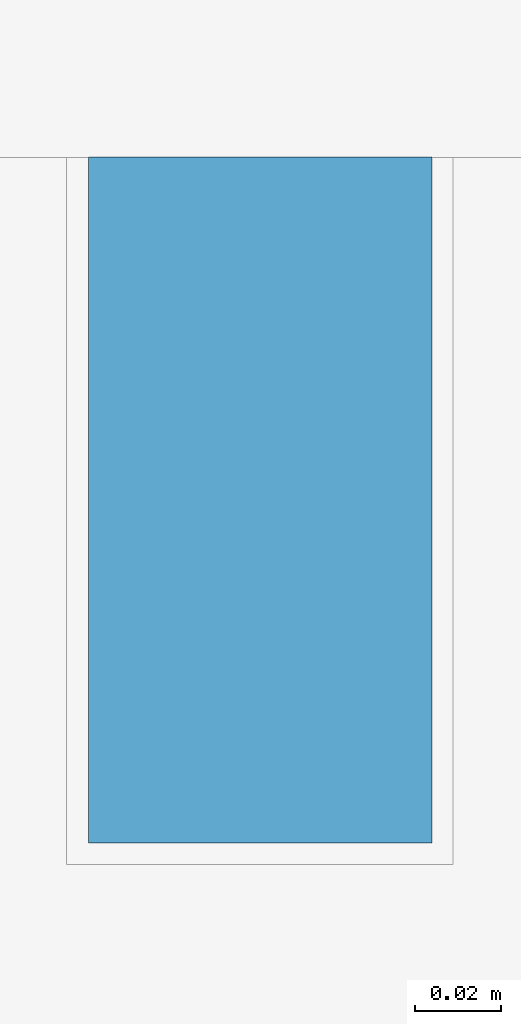
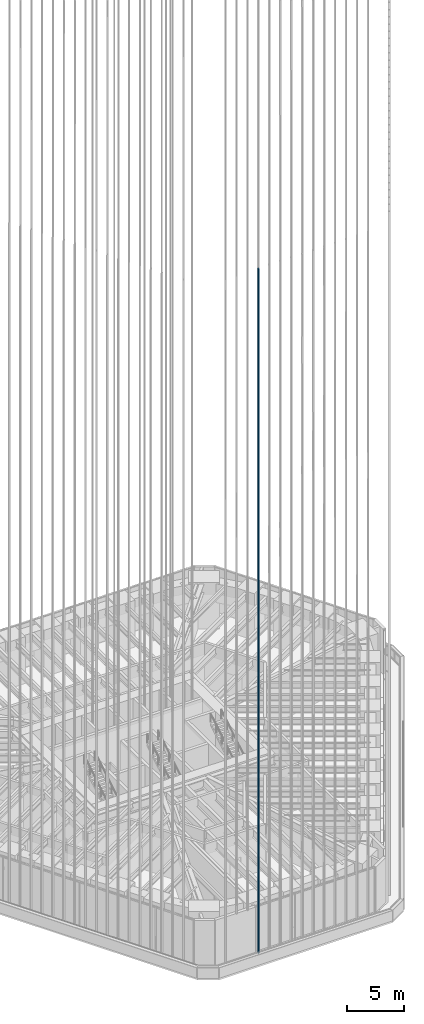
# One storey, part 30 of 228: 1 member, 1 element without a shape of its own.
"""IFC4 building model written with IfcOpenShell, lengths in metres."""

from ifc_helpers import new_model, si_unit, direction, frame, origin, origin_2d, place, context, subcontext, project, spatial, rectangle, extrude, material, material_profile, profile_set, type_object, element, aggregate, save


model = new_model("IFC4")

# Units and contexts
model_context = context("Model", 3, precision=1e-05, world=origin(), true_north=direction((0.0, 1.0)))
body_context = subcontext(model_context, "Body", "Model", "MODEL_VIEW")
ifc_project = project(units=[si_unit("LENGTHUNIT", "METRE"), si_unit("AREAUNIT", "SQUARE_METRE"), si_unit("VOLUMEUNIT", "CUBIC_METRE"), si_unit("PLANEANGLEUNIT", "RADIAN"), si_unit("MASSUNIT", "GRAM", prefix="KILO")], contexts=[model_context])

# Site, building, storey
site_placement = place(None, origin())
site = spatial("IfcSite", under=ifc_project, at=site_placement, CompositionType="ELEMENT")
building_placement = place(site_placement, origin())
building = spatial("IfcBuilding", under=site, at=building_placement, Name="Sandreach Pilgrim Tower", CompositionType="ELEMENT")
storey_placement = place(building_placement, frame((0.0, 0.0, 178.199951171875)))
storey = spatial("IfcBuildingStorey", under=building, at=storey_placement, Name="L44", CompositionType="ELEMENT", Elevation=178.199951171875)

# Curtain wall, member
ifc_material_1 = material(Name="Aluminium framed curtain wall", Category="aluminium")
curtain_wall_type = type_object("IfcCurtainWallType", Name="Upper hotel tower curtain wall", PredefinedType="NOTDEFINED", material=ifc_material_1)
curtain_wall_placement = place(storey_placement, origin())
curtain_wall = element("IfcCurtainWall", 1, at=curtain_wall_placement, inside=storey, type_object=curtain_wall_type, Name="CW-3 L44 SA", PredefinedType="NOTDEFINED")
ifc_material_2 = material(Name="Extruded terracotta on aluminium core", Category="masonry")
ifc_material_profile = material_profile(ifc_material_2, rectangle(XDim=0.080078125, YDim=0.159912109375, at=origin_2d()), Name="TBS 80X160")
ifc_profile_set = profile_set([ifc_material_profile], Name="Extruded terracotta on aluminium core")
member_type = type_object("IfcMemberType", Name="Terracotta baguette south", PredefinedType="USERDEFINED", material=ifc_profile_set)
member_placement = place(storey_placement, frame((-3.881103515625, -26.905029296875, 0.0), z_axis=(0.0, 0.0, 1.0), x_axis=(-1.0, 0.0, 0.0)))
member = element("IfcMember", 2, at=member_placement, type_object=member_type, Name="Baguette Z3 S11", ObjectType="BAGUETTE", PredefinedType="USERDEFINED", context=body_context, shape_type="SweptSolid", body=[
    extrude(rectangle(XDim=0.080078125, YDim=0.159912109375, at=origin_2d()), origin(), (0.0, 0.0, 1.0), 73.239990234375),
])
aggregate(curtain_wall, [member])

save(model, "model.ifc")
